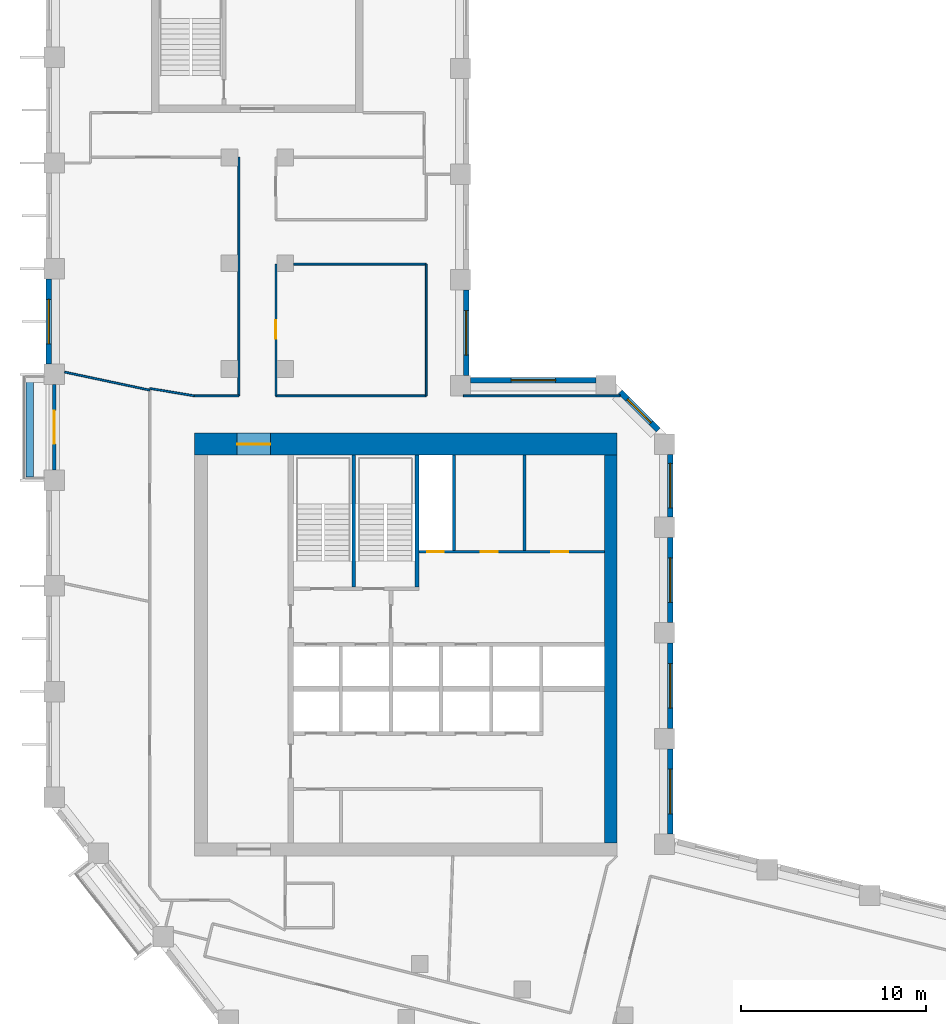
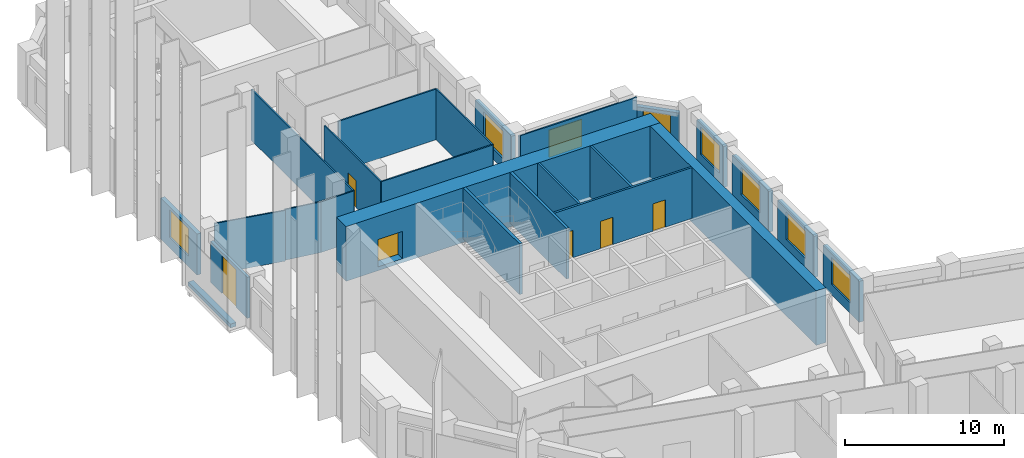
# One storey, part 6 of 10: 26 walls, 8 windows, 6 doors, 14 openings.
"""IFC4 building model written with IfcOpenShell, lengths in metres."""

from ifc_helpers import new_model, si_unit, direction, frame, frame_2d, origin, place, context, subcontext, project, spatial, rectangle, extrude, material, layer, layer_set, type_object, element, fill, save


model = new_model("IFC4")

# Units and contexts
model_context = context("Model", 3, precision=1e-05, world=origin(), true_north=direction((0.0, 1.0)))
body_context = subcontext(model_context, "Body", "Model", "MODEL_VIEW")
ifc_project = project(units=[si_unit("LENGTHUNIT", "METRE"), si_unit("AREAUNIT", "SQUARE_METRE"), si_unit("VOLUMEUNIT", "CUBIC_METRE"), si_unit("PLANEANGLEUNIT", "RADIAN"), si_unit("MASSUNIT", "GRAM", prefix="KILO")], contexts=[model_context])

# Site, building, storey
site_placement = place(None, origin())
site = spatial("IfcSite", under=ifc_project, at=site_placement, CompositionType="ELEMENT")
building_placement = place(site_placement, origin())
building = spatial("IfcBuilding", under=site, at=building_placement, Name="Meshkara Civic Tower", CompositionType="ELEMENT")
storey_placement = place(building_placement, frame((0.0, 0.0, 259.199951171875)))
storey = spatial("IfcBuildingStorey", under=building, at=storey_placement, Name="L59", CompositionType="ELEMENT", Elevation=259.199951171875)

# Wall, openings, doors
ifc_material_1 = material(Name="Blockwork", Category="masonry")
ifc_layer_1 = layer(ifc_material_1, 0.14990234375)
ifc_layer_set_1 = layer_set([ifc_layer_1], Name="Core partition 150")
wall_type_1 = type_object("IfcWallType", Name="Core partition 150", PredefinedType="PARTITIONING", material=ifc_layer_set_1)
wall_1_placement = place(storey_placement, frame((20.10009765625, 30.5, 0.0), z_axis=(0.0, 0.0, 1.0), x_axis=(1.0, 0.0, 0.0)))
wall_1 = element("IfcWall", 1, at=wall_1_placement, inside=storey, type_object=wall_type_1, Name="L59-C010", PredefinedType="PARTITIONING", context=body_context, shape_type="SweptSolid", body=[
    extrude(rectangle(XDim=10.0, YDim=0.14990234375, at=frame_2d((5.0, 0.0))), origin(), (0.0, 0.0, 1.0), 3.900146484375),
])
opening_1_placement = place(wall_1_placement, frame((0.449951171875, 0.0, 0.0)))
opening_1 = element("IfcOpeningElement", 2, at=opening_1_placement, cuts=wall_1, Name="Opening L59-K012", PredefinedType="OPENING", context=body_context, shape_type="SweptSolid", body=[
    extrude(rectangle(XDim=0.89990234375, YDim=2.10009765625, at=frame_2d((0.449951171875, 1.050048828125))), frame((0.0, 0.0849609375, 0.0), z_axis=(0.0, -1.0, 0.0), x_axis=(1.0, 0.0, 0.0)), (0.0, 0.0, 1.0), 0.169921875),
])
opening_2_placement = place(wall_1_placement, frame((3.35009765625, 0.0, 0.0)))
opening_2 = element("IfcOpeningElement", 3, at=opening_2_placement, cuts=wall_1, Name="Opening L59-K013", PredefinedType="OPENING", context=body_context, shape_type="SweptSolid", body=[
    extrude(rectangle(XDim=0.89990234375, YDim=2.10009765625, at=frame_2d((0.449951171875, 1.050048828125))), frame((0.0, 0.0849609375, 0.0), z_axis=(0.0, -1.0, 0.0), x_axis=(1.0, 0.0, 0.0)), (0.0, 0.0, 1.0), 0.169921875),
])
opening_3_placement = place(wall_1_placement, frame((7.14990234375, 0.0, 0.0)))
opening_3 = element("IfcOpeningElement", 4, at=opening_3_placement, cuts=wall_1, Name="Opening L59-K014", PredefinedType="OPENING", context=body_context, shape_type="SweptSolid", body=[
    extrude(rectangle(XDim=0.89990234375, YDim=2.10009765625, at=frame_2d((0.449951171875, 1.050048828125))), frame((0.0, 0.0849609375, 0.0), z_axis=(0.0, -1.0, 0.0), x_axis=(1.0, 0.0, 0.0)), (0.0, 0.0, 1.0), 0.169921875),
])
ifc_material_2 = material(Name="Timber door leaf in steel frame", Category="steel")
door_type_1 = type_object("IfcDoorType", Name="Core room door 900", OperationType="SINGLE_SWING_LEFT", PredefinedType="DOOR", material=ifc_material_2)
door_1_placement = place(opening_2_placement, origin())
door_1 = element("IfcDoor", 5, at=door_1_placement, inside=storey, type_object=door_type_1, Name="L59-K013", OperationType="SINGLE_SWING_RIGHT", OverallHeight=2.10009765625, OverallWidth=0.89990234375, PredefinedType="DOOR", context=body_context, shape_type="SweptSolid", body=[
    extrude(rectangle(XDim=0.89990234375, YDim=2.10009765625, at=frame_2d((0.449951171875, 1.050048828125))), frame((0.0, 0.02490234375, 0.0), z_axis=(0.0, -1.0, 0.0), x_axis=(1.0, 0.0, 0.0)), (0.0, 0.0, 1.0), 0.050048828125),
])
fill(opening_2, door_1)
ifc_material_3 = material(Name="Fire-rated door leaf in steel frame", Category="steel")
door_type_2 = type_object("IfcDoorType", Name="Riser door 900", OperationType="SINGLE_SWING_LEFT", PredefinedType="DOOR", material=ifc_material_3)
door_2_placement = place(opening_1_placement, origin())
door_2 = element("IfcDoor", 6, at=door_2_placement, inside=storey, type_object=door_type_2, Name="L59-K012", OperationType="SINGLE_SWING_RIGHT", OverallHeight=2.10009765625, OverallWidth=0.89990234375, PredefinedType="DOOR", context=body_context, shape_type="SweptSolid", body=[
    extrude(rectangle(XDim=0.89990234375, YDim=2.10009765625, at=frame_2d((0.449951171875, 1.050048828125))), frame((0.0, 0.02490234375, 0.0), z_axis=(0.0, -1.0, 0.0), x_axis=(1.0, 0.0, 0.0)), (0.0, 0.0, 1.0), 0.050048828125),
])
fill(opening_1, door_2)
ifc_material_4 = material(Name="Timber door leaf in steel frame", Category="steel")
door_type_3 = type_object("IfcDoorType", Name="WC door 900", OperationType="SINGLE_SWING_LEFT", PredefinedType="DOOR", material=ifc_material_4)
door_3_placement = place(opening_3_placement, origin())
door_3 = element("IfcDoor", 7, at=door_3_placement, inside=storey, type_object=door_type_3, Name="L59-K014", OperationType="SINGLE_SWING_LEFT", OverallHeight=2.10009765625, OverallWidth=0.89990234375, PredefinedType="DOOR", context=body_context, shape_type="SweptSolid", body=[
    extrude(rectangle(XDim=0.89990234375, YDim=2.10009765625, at=frame_2d((0.449951171875, 1.050048828125))), frame((0.0, 0.02490234375, 0.0), z_axis=(0.0, -1.0, 0.0), x_axis=(1.0, 0.0, 0.0)), (0.0, 0.0, 1.0), 0.050048828125),
])
fill(opening_3, door_3)

# Walls
for number, where, z_axis, x_axis, name in (
    (8, (22.0, 30.574951171875, 0.0), (0.0, 0.0, 1.0), (0.0, 1.0, 0.0), "L59-C018"),
    (9, (25.800048828125, 30.574951171875, 0.0), (0.0, 0.0, 1.0), (0.0, 1.0, 0.0), "L59-C020"),
):
    element("IfcWall", number, at=place(storey_placement, frame(where, z_axis=z_axis, x_axis=x_axis)), inside=storey, type_object=wall_type_1, Name=name, PredefinedType="PARTITIONING", context=body_context, shape_type="SweptSolid", body=[
        extrude(rectangle(XDim=5.125, YDim=0.14990234375, at=frame_2d((2.5625, 0.0))), origin(), (0.0, 0.0, 1.0), 3.900146484375),
    ])

# Wall, opening, door
ifc_material_5 = material(Name="Concrete C60", Category="concrete")
ifc_layer_2 = layer(ifc_material_5, 1.199951171875)
ifc_layer_set_2 = layer_set([ifc_layer_2], Name="Core ring wall 1200 C60")
wall_type_2 = type_object("IfcWallType", Name="Core ring wall 1200 C60", PredefinedType="SHEAR", material=ifc_layer_set_2)
wall_2_placement = place(storey_placement, frame((8.0, 36.300048828125, -0.300048828125), z_axis=(0.0, 0.0, 1.0), x_axis=(1.0, 0.0, 0.0)))
wall_2 = element("IfcWall", 10, at=wall_2_placement, inside=storey, type_object=wall_type_2, Name="L59-C002", PredefinedType="SHEAR", context=body_context, shape_type="SweptSolid", body=[
    extrude(rectangle(XDim=22.800048828125, YDim=1.199951171875, at=frame_2d((11.39990234375, 0.0))), origin(), (0.0, 0.0, 1.0), 4.2001953125),
])
opening_4_placement = place(wall_2_placement, frame((2.300048828125, 0.0, 0.300048828125)))
opening_4 = element("IfcOpeningElement", 11, at=opening_4_placement, cuts=wall_2, Name="Opening L59-K020", PredefinedType="OPENING", context=body_context, shape_type="SweptSolid", body=[
    extrude(rectangle(XDim=1.800048828125, YDim=2.10009765625, at=frame_2d((0.89990234375, 1.050048828125))), frame((0.0, 0.60986328125, 0.0), z_axis=(0.0, -1.0, 0.0), x_axis=(1.0, 0.0, 0.0)), (0.0, 0.0, 1.0), 1.219970703125),
])
ifc_material_6 = material(Name="Fire-rated door leaf in steel frame", Category="steel")
door_type_4 = type_object("IfcDoorType", Name="Core double door 1800 EI 60", OperationType="DOUBLE_DOOR_SINGLE_SWING", PredefinedType="DOOR", material=ifc_material_6)
door_4_placement = place(opening_4_placement, origin())
door_4 = element("IfcDoor", 12, at=door_4_placement, inside=storey, type_object=door_type_4, Name="L59-K020", OperationType="DOUBLE_DOOR_SINGLE_SWING", OverallHeight=2.10009765625, OverallWidth=1.800048828125, PredefinedType="DOOR", context=body_context, shape_type="SweptSolid", body=[
    extrude(rectangle(XDim=1.800048828125, YDim=2.10009765625, at=frame_2d((0.89990234375, 1.050048828125))), frame((0.0, 0.02490234375, 0.0), z_axis=(0.0, -1.0, 0.0), x_axis=(1.0, 0.0, 0.0)), (0.0, 0.0, 1.0), 0.050048828125),
])
fill(opening_4, door_4)

# Walls
ifc_material_7 = material(Name="Concrete C60", Category="concrete")
ifc_layer_3 = layer(ifc_material_7, 0.699951171875)
ifc_layer_set_3 = layer_set([ifc_layer_3], Name="Core ring wall 700 C60")
wall_type_3 = type_object("IfcWallType", Name="Core ring wall 700 C60", PredefinedType="SHEAR", material=ifc_layer_set_3)
wall_3_placement = place(storey_placement, frame((30.449951171875, 14.800048828125, -0.300048828125), z_axis=(0.0, 0.0, 1.0), x_axis=(0.0, 1.0, 0.0)))
element("IfcWall", 13, at=wall_3_placement, inside=storey, type_object=wall_type_3, Name="L59-C004", PredefinedType="SHEAR", context=body_context, shape_type="SweptSolid", body=[
    extrude(rectangle(XDim=20.89990234375, YDim=0.699951171875, at=frame_2d((10.449951171875, 0.0))), origin(), (0.0, 0.0, 1.0), 4.2001953125),
])
ifc_material_8 = material(Name="Corridor wall 100")
ifc_layer_4 = layer(ifc_material_8, 0.10009765625)
ifc_layer_set_4 = layer_set([ifc_layer_4], Name="Corridor wall 100")
wall_type_4 = type_object("IfcWallType", Name="Corridor wall 100", PredefinedType="PARTITIONING", material=ifc_layer_set_4)
wall_4_placement = place(storey_placement, frame((8.0, 38.89990234375, 0.0), z_axis=(0.0, 0.0, 1.0), x_axis=(-0.986383073668, 0.16446407505, 0.0)))
element("IfcWall", 14, at=wall_4_placement, inside=storey, type_object=wall_type_4, Name="L59-W007", PredefinedType="PARTITIONING", context=body_context, shape_type="SweptSolid", body=[
    extrude(rectangle(XDim=2.43310546875, YDim=0.10009765625, at=frame_2d((1.216552734375, 0.0))), origin(), (0.0, 0.0, 1.0), 3.900146484375),
])
wall_5_placement = place(storey_placement, frame((10.39990234375, 38.89990234375, 0.0), z_axis=(0.0, 0.0, 1.0), x_axis=(-1.0, 0.0, 0.0)))
element("IfcWall", 15, at=wall_5_placement, inside=storey, type_object=wall_type_4, Name="L59-W012", PredefinedType="PARTITIONING", context=body_context, shape_type="SweptSolid", body=[
    extrude(rectangle(XDim=2.39990234375, YDim=0.10009765625, at=frame_2d((1.199951171875, 0.0))), origin(), (0.0, 0.0, 1.0), 3.900146484375),
])
wall_6_placement = place(storey_placement, frame((10.39990234375, 51.77001953125, 0.0), z_axis=(0.0, 0.0, 1.0), x_axis=(0.0, -1.0, 0.0)))
element("IfcWall", 16, at=wall_6_placement, inside=storey, type_object=wall_type_4, Name="L59-W013", PredefinedType="PARTITIONING", context=body_context, shape_type="SweptSolid", body=[
    extrude(rectangle(XDim=12.8701171875, YDim=0.10009765625, at=frame_2d((6.43505859375, 0.0))), origin(), (0.0, 0.0, 1.0), 3.900146484375),
])

# Wall, opening, door
wall_7_placement = place(storey_placement, frame((12.39990234375, 38.89990234375, 0.0), z_axis=(0.0, 0.0, 1.0), x_axis=(0.0, 1.0, 0.0)))
wall_7 = element("IfcWall", 17, at=wall_7_placement, inside=storey, type_object=wall_type_4, Name="L59-W014", PredefinedType="PARTITIONING", context=body_context, shape_type="SweptSolid", body=[
    extrude(rectangle(XDim=7.10009765625, YDim=0.10009765625, at=frame_2d((3.550048828125, 0.0))), origin(), (0.0, 0.0, 1.0), 3.900146484375),
])
opening_5_placement = place(wall_7_placement, frame((3.080078125, 0.0, 0.0)))
opening_5 = element("IfcOpeningElement", 18, at=opening_5_placement, cuts=wall_7, Name="Opening L59-D015", PredefinedType="OPENING", context=body_context, shape_type="SweptSolid", body=[
    extrude(rectangle(XDim=1.0, YDim=2.10009765625, at=frame_2d((0.5, 1.050048828125))), frame((0.0, 0.06005859375, 0.0), z_axis=(0.0, -1.0, 0.0), x_axis=(1.0, 0.0, 0.0)), (0.0, 0.0, 1.0), 0.1201171875),
])
ifc_material_9 = material(Name="Door 1000 x 2100")
door_type_5 = type_object("IfcDoorType", Name="Door 1000 x 2100", OperationType="SINGLE_SWING_LEFT", PredefinedType="DOOR", material=ifc_material_9)
door_5_placement = place(opening_5_placement, origin())
door_5 = element("IfcDoor", 19, at=door_5_placement, inside=storey, type_object=door_type_5, Name="L59-D015", OperationType="SINGLE_SWING_LEFT", OverallHeight=2.10009765625, OverallWidth=1.0, PredefinedType="DOOR", context=body_context, shape_type="SweptSolid", body=[
    extrude(rectangle(XDim=1.0, YDim=2.10009765625, at=frame_2d((0.5, 1.050048828125))), frame((0.0, 0.02490234375, 0.0), z_axis=(0.0, -1.0, 0.0), x_axis=(1.0, 0.0, 0.0)), (0.0, 0.0, 1.0), 0.050048828125),
])
fill(opening_5, door_5)

# Walls
wall_8_placement = place(storey_placement, frame((13.35009765625, 46.0, 0.0), z_axis=(0.0, 0.0, 1.0), x_axis=(1.0, 0.0, 0.0)))
element("IfcWall", 20, at=wall_8_placement, inside=storey, type_object=wall_type_4, Name="L59-W017", PredefinedType="PARTITIONING", context=body_context, shape_type="SweptSolid", body=[
    extrude(rectangle(XDim=7.14990234375, YDim=0.10009765625, at=frame_2d((3.574951171875, 0.0))), origin(), (0.0, 0.0, 1.0), 3.900146484375),
])
wall_9_placement = place(storey_placement, frame((20.5, 38.89990234375, 0.0), z_axis=(0.0, 0.0, 1.0), x_axis=(-1.0, 0.0, 0.0)))
element("IfcWall", 21, at=wall_9_placement, inside=storey, type_object=wall_type_4, Name="L59-W021", PredefinedType="PARTITIONING", context=body_context, shape_type="SweptSolid", body=[
    extrude(rectangle(XDim=8.10009765625, YDim=0.10009765625, at=frame_2d((4.050048828125, 0.0))), origin(), (0.0, 0.0, 1.0), 3.900146484375),
])
wall_10_placement = place(storey_placement, frame((20.5, 46.0, 0.0), z_axis=(0.0, 0.0, 1.0), x_axis=(0.0, -1.0, 0.0)))
element("IfcWall", 22, at=wall_10_placement, inside=storey, type_object=wall_type_4, Name="L59-W022", PredefinedType="PARTITIONING", context=body_context, shape_type="SweptSolid", body=[
    extrude(rectangle(XDim=7.10009765625, YDim=0.10009765625, at=frame_2d((3.550048828125, 0.0))), origin(), (0.0, 0.0, 1.0), 3.900146484375),
])
wall_11_placement = place(storey_placement, frame((30.9560546875, 38.89990234375, 0.0), z_axis=(0.0, 0.0, 1.0), x_axis=(-1.0, 0.0, 0.0)))
element("IfcWall", 23, at=wall_11_placement, inside=storey, type_object=wall_type_4, Name="L59-W030", PredefinedType="PARTITIONING", context=body_context, shape_type="SweptSolid", body=[
    extrude(rectangle(XDim=8.4560546875, YDim=0.10009765625, at=frame_2d((4.22802734375, 0.0))), origin(), (0.0, 0.0, 1.0), 3.900146484375),
])

# Wall, opening, window
ifc_material_10 = material(Name="Insulated infill panel with bronze anodised aluminium cladding", Category="aluminium")
ifc_layer_5 = layer(ifc_material_10, 0.300048828125)
ifc_layer_set_5 = layer_set([ifc_layer_5], Name="EXTERNAL INFILL WALL 300")
wall_type_5 = type_object("IfcWallType", Name="EXTERNAL INFILL WALL 300", PredefinedType="SOLIDWALL", material=ifc_layer_set_5)
wall_12_placement = place(storey_placement, frame((33.64990234375, 15.26904296875, 0.0), z_axis=(0.0, 0.0, 1.0), x_axis=(0.0, 1.0, 0.0)))
wall_12 = element("IfcWall", 24, at=wall_12_placement, inside=storey, type_object=wall_type_5, Name="External wall", PredefinedType="SOLIDWALL", context=body_context, shape_type="SweptSolid", body=[
    extrude(rectangle(XDim=4.599853515625, YDim=0.300048828125, at=frame_2d((2.2998046875, 0.0))), origin(), (0.0, 0.0, 1.0), 3.150146484375),
])
opening_6_placement = place(wall_12_placement, frame((1.10009765625, 0.0, 0.800048828125)))
opening_6 = element("IfcOpeningElement", 25, at=opening_6_placement, cuts=wall_12, Name="Opening W7", PredefinedType="OPENING", context=body_context, shape_type="SweptSolid", body=[
    extrude(rectangle(XDim=2.39990234375, YDim=2.10009765625, at=frame_2d((1.199951171875, 1.050048828125))), frame((0.0, 0.159912109375, 0.0), z_axis=(0.0, -1.0, 0.0), x_axis=(1.0, 0.0, 0.0)), (0.0, 0.0, 1.0), 0.320068359375),
])
ifc_material_11 = material(Name="Tinted double glazing", Category="glass")
window_type_1 = type_object("IfcWindowType", Name="WINDOW 2400x2100", PartitioningType="DOUBLE_PANEL_VERTICAL", PredefinedType="WINDOW", material=ifc_material_11)
window_1_placement = place(opening_6_placement, origin())
window_1 = element("IfcWindow", 26, at=window_1_placement, inside=storey, type_object=window_type_1, Name="Window", OverallHeight=2.10009765625, OverallWidth=2.39990234375, PartitioningType="DOUBLE_PANEL_VERTICAL", PredefinedType="WINDOW", context=body_context, shape_type="SweptSolid", body=[
    extrude(rectangle(XDim=2.39990234375, YDim=2.10009765625, at=frame_2d((1.199951171875, 1.050048828125))), frame((0.0, 0.030029296875, 0.0), z_axis=(0.0, -1.0, 0.0), x_axis=(1.0, 0.0, 0.0)), (0.0, 0.0, 1.0), 0.06005859375),
])
fill(opening_6, window_1)

wall_13_placement = place(storey_placement, frame((33.64990234375, 20.968994140625, 0.0), z_axis=(0.0, 0.0, 1.0), x_axis=(0.0, 1.0, 0.0)))
wall_13 = element("IfcWall", 27, at=wall_13_placement, inside=storey, type_object=wall_type_5, Name="External wall", PredefinedType="SOLIDWALL", context=body_context, shape_type="SweptSolid", body=[
    extrude(rectangle(XDim=4.60009765625, YDim=0.300048828125, at=frame_2d((2.300048828125, 0.0))), origin(), (0.0, 0.0, 1.0), 3.150146484375),
])
opening_7_placement = place(wall_13_placement, frame((1.10009765625, 0.0, 0.800048828125)))
opening_7 = element("IfcOpeningElement", 28, at=opening_7_placement, cuts=wall_13, Name="Opening W7", PredefinedType="OPENING", context=body_context, shape_type="SweptSolid", body=[
    extrude(rectangle(XDim=2.39990234375, YDim=2.10009765625, at=frame_2d((1.199951171875, 1.050048828125))), frame((0.0, 0.159912109375, 0.0), z_axis=(0.0, -1.0, 0.0), x_axis=(1.0, 0.0, 0.0)), (0.0, 0.0, 1.0), 0.320068359375),
])
window_2_placement = place(opening_7_placement, origin())
window_2 = element("IfcWindow", 29, at=window_2_placement, inside=storey, type_object=window_type_1, Name="Window", OverallHeight=2.10009765625, OverallWidth=2.39990234375, PartitioningType="DOUBLE_PANEL_VERTICAL", PredefinedType="WINDOW", context=body_context, shape_type="SweptSolid", body=[
    extrude(rectangle(XDim=2.39990234375, YDim=2.10009765625, at=frame_2d((1.199951171875, 1.050048828125))), frame((0.0, 0.030029296875, 0.0), z_axis=(0.0, -1.0, 0.0), x_axis=(1.0, 0.0, 0.0)), (0.0, 0.0, 1.0), 0.06005859375),
])
fill(opening_7, window_2)

wall_14_placement = place(storey_placement, frame((33.64990234375, 26.6689453125, 0.0), z_axis=(0.0, 0.0, 1.0), x_axis=(0.0, 1.0, 0.0)))
wall_14 = element("IfcWall", 30, at=wall_14_placement, inside=storey, type_object=wall_type_5, Name="External wall", PredefinedType="SOLIDWALL", context=body_context, shape_type="SweptSolid", body=[
    extrude(rectangle(XDim=4.60009765625, YDim=0.300048828125, at=frame_2d((2.300048828125, 0.0))), origin(), (0.0, 0.0, 1.0), 3.150146484375),
])
opening_8_placement = place(wall_14_placement, frame((1.10009765625, 0.0, 0.800048828125)))
opening_8 = element("IfcOpeningElement", 31, at=opening_8_placement, cuts=wall_14, Name="Opening W7", PredefinedType="OPENING", context=body_context, shape_type="SweptSolid", body=[
    extrude(rectangle(XDim=2.39990234375, YDim=2.10009765625, at=frame_2d((1.199951171875, 1.050048828125))), frame((0.0, 0.159912109375, 0.0), z_axis=(0.0, -1.0, 0.0), x_axis=(1.0, 0.0, 0.0)), (0.0, 0.0, 1.0), 0.320068359375),
])
window_3_placement = place(opening_8_placement, origin())
window_3 = element("IfcWindow", 32, at=window_3_placement, inside=storey, type_object=window_type_1, Name="Window", OverallHeight=2.10009765625, OverallWidth=2.39990234375, PartitioningType="DOUBLE_PANEL_VERTICAL", PredefinedType="WINDOW", context=body_context, shape_type="SweptSolid", body=[
    extrude(rectangle(XDim=2.39990234375, YDim=2.10009765625, at=frame_2d((1.199951171875, 1.050048828125))), frame((0.0, 0.030029296875, 0.0), z_axis=(0.0, -1.0, 0.0), x_axis=(1.0, 0.0, 0.0)), (0.0, 0.0, 1.0), 0.06005859375),
])
fill(opening_8, window_3)

wall_15_placement = place(storey_placement, frame((33.64990234375, 32.368896484375, 0.0), z_axis=(0.0, 0.0, 1.0), x_axis=(0.0, 1.0, 0.0)))
wall_15 = element("IfcWall", 33, at=wall_15_placement, inside=storey, type_object=wall_type_5, Name="External wall", PredefinedType="SOLIDWALL", context=body_context, shape_type="SweptSolid", body=[
    extrude(rectangle(XDim=3.375, YDim=0.300048828125, at=frame_2d((1.6875, 0.0))), origin(), (0.0, 0.0, 1.0), 3.150146484375),
])
opening_9_placement = place(wall_15_placement, frame((0.488037109375, 0.0, 0.800048828125)))
opening_9 = element("IfcOpeningElement", 34, at=opening_9_placement, cuts=wall_15, Name="Opening W7", PredefinedType="OPENING", context=body_context, shape_type="SweptSolid", body=[
    extrude(rectangle(XDim=2.39990234375, YDim=2.10009765625, at=frame_2d((1.199951171875, 1.050048828125))), frame((0.0, 0.159912109375, 0.0), z_axis=(0.0, -1.0, 0.0), x_axis=(1.0, 0.0, 0.0)), (0.0, 0.0, 1.0), 0.320068359375),
])
window_4_placement = place(opening_9_placement, origin())
window_4 = element("IfcWindow", 35, at=window_4_placement, inside=storey, type_object=window_type_1, Name="Window", OverallHeight=2.10009765625, OverallWidth=2.39990234375, PartitioningType="DOUBLE_PANEL_VERTICAL", PredefinedType="WINDOW", context=body_context, shape_type="SweptSolid", body=[
    extrude(rectangle(XDim=2.39990234375, YDim=2.10009765625, at=frame_2d((1.199951171875, 1.050048828125))), frame((0.0, 0.030029296875, 0.0), z_axis=(0.0, -1.0, 0.0), x_axis=(1.0, 0.0, 0.0)), (0.0, 0.0, 1.0), 0.06005859375),
])
fill(opening_9, window_4)

wall_16_placement = place(storey_placement, frame((33.011962890625, 37.055908203125, 0.0), z_axis=(0.0, 0.0, 1.0), x_axis=(-0.707064797706, 0.707148762175, 0.0)))
wall_16 = element("IfcWall", 36, at=wall_16_placement, inside=storey, type_object=wall_type_5, Name="External wall", PredefinedType="SOLIDWALL", context=body_context, shape_type="SweptSolid", body=[
    extrude(rectangle(XDim=2.90771484375, YDim=0.300048828125, at=frame_2d((1.453857421875, 0.0))), origin(), (0.0, 0.0, 1.0), 3.150146484375),
])
opening_10_placement = place(wall_16_placement, frame((0.553955078125, 0.0, 0.800048828125)))
opening_10 = element("IfcOpeningElement", 37, at=opening_10_placement, cuts=wall_16, Name="Opening W9", PredefinedType="OPENING", context=body_context, shape_type="SweptSolid", body=[
    extrude(rectangle(XDim=1.800048828125, YDim=2.10009765625, at=frame_2d((0.89990234375, 1.050048828125))), frame((0.0, 0.159912109375, 0.0), z_axis=(0.0, -1.0, 0.0), x_axis=(1.0, 0.0, 0.0)), (0.0, 0.0, 1.0), 0.320068359375),
])
ifc_material_12 = material(Name="Tinted double glazing", Category="glass")
window_type_2 = type_object("IfcWindowType", Name="WINDOW 1800x2100", PartitioningType="DOUBLE_PANEL_VERTICAL", PredefinedType="WINDOW", material=ifc_material_12)
window_5_placement = place(opening_10_placement, origin())
window_5 = element("IfcWindow", 38, at=window_5_placement, inside=storey, type_object=window_type_2, Name="Window", OverallHeight=2.10009765625, OverallWidth=1.800048828125, PartitioningType="DOUBLE_PANEL_VERTICAL", PredefinedType="WINDOW", context=body_context, shape_type="SweptSolid", body=[
    extrude(rectangle(XDim=1.800048828125, YDim=2.10009765625, at=frame_2d((0.89990234375, 1.050048828125))), frame((0.0, 0.030029296875, 0.0), z_axis=(0.0, -1.0, 0.0), x_axis=(1.0, 0.0, 0.0)), (0.0, 0.0, 1.0), 0.06005859375),
])
fill(opening_10, window_5)

wall_17_placement = place(storey_placement, frame((29.64404296875, 39.75, 0.0), z_axis=(0.0, 0.0, 1.0), x_axis=(-1.0, 0.0, 0.0)))
wall_17 = element("IfcWall", 39, at=wall_17_placement, inside=storey, type_object=wall_type_5, Name="External wall", PredefinedType="SOLIDWALL", context=body_context, shape_type="SweptSolid", body=[
    extrude(rectangle(XDim=6.744140625, YDim=0.300048828125, at=frame_2d((3.3720703125, 0.0))), origin(), (0.0, 0.0, 1.0), 3.150146484375),
])
opening_11_placement = place(wall_17_placement, frame((2.172119140625, 0.0, 0.800048828125)))
opening_11 = element("IfcOpeningElement", 40, at=opening_11_placement, cuts=wall_17, Name="Opening W7", PredefinedType="OPENING", context=body_context, shape_type="SweptSolid", body=[
    extrude(rectangle(XDim=2.39990234375, YDim=2.10009765625, at=frame_2d((1.199951171875, 1.050048828125))), frame((0.0, 0.159912109375, 0.0), z_axis=(0.0, -1.0, 0.0), x_axis=(1.0, 0.0, 0.0)), (0.0, 0.0, 1.0), 0.320068359375),
])
window_6_placement = place(opening_11_placement, origin())
window_6 = element("IfcWindow", 41, at=window_6_placement, inside=storey, type_object=window_type_1, Name="Window", OverallHeight=2.10009765625, OverallWidth=2.39990234375, PartitioningType="DOUBLE_PANEL_VERTICAL", PredefinedType="WINDOW", context=body_context, shape_type="SweptSolid", body=[
    extrude(rectangle(XDim=2.39990234375, YDim=2.10009765625, at=frame_2d((1.199951171875, 1.050048828125))), frame((0.0, 0.030029296875, 0.0), z_axis=(0.0, -1.0, 0.0), x_axis=(1.0, 0.0, 0.0)), (0.0, 0.0, 1.0), 0.06005859375),
])
fill(opening_11, window_6)

wall_18_placement = place(storey_placement, frame((22.64990234375, 40.0, 0.0), z_axis=(0.0, 0.0, 1.0), x_axis=(0.0, 1.0, 0.0)))
wall_18 = element("IfcWall", 42, at=wall_18_placement, inside=storey, type_object=wall_type_5, Name="External wall", PredefinedType="SOLIDWALL", context=body_context, shape_type="SweptSolid", body=[
    extrude(rectangle(XDim=4.60009765625, YDim=0.300048828125, at=frame_2d((2.300048828125, 0.0))), origin(), (0.0, 0.0, 1.0), 3.150146484375),
])
opening_12_placement = place(wall_18_placement, frame((1.10009765625, 0.0, 0.800048828125)))
opening_12 = element("IfcOpeningElement", 43, at=opening_12_placement, cuts=wall_18, Name="Opening W7", PredefinedType="OPENING", context=body_context, shape_type="SweptSolid", body=[
    extrude(rectangle(XDim=2.39990234375, YDim=2.10009765625, at=frame_2d((1.199951171875, 1.050048828125))), frame((0.0, 0.159912109375, 0.0), z_axis=(0.0, -1.0, 0.0), x_axis=(1.0, 0.0, 0.0)), (0.0, 0.0, 1.0), 0.320068359375),
])
window_7_placement = place(opening_12_placement, origin())
window_7 = element("IfcWindow", 44, at=window_7_placement, inside=storey, type_object=window_type_1, Name="Window", OverallHeight=2.10009765625, OverallWidth=2.39990234375, PartitioningType="DOUBLE_PANEL_VERTICAL", PredefinedType="WINDOW", context=body_context, shape_type="SweptSolid", body=[
    extrude(rectangle(XDim=2.39990234375, YDim=2.10009765625, at=frame_2d((1.199951171875, 1.050048828125))), frame((0.0, 0.030029296875, 0.0), z_axis=(0.0, -1.0, 0.0), x_axis=(1.0, 0.0, 0.0)), (0.0, 0.0, 1.0), 0.06005859375),
])
fill(opening_12, window_7)

wall_19_placement = place(storey_placement, frame((0.14990234375, 45.205078125, 0.0), z_axis=(0.0, 0.0, 1.0), x_axis=(0.0, -1.0, 0.0)))
wall_19 = element("IfcWall", 45, at=wall_19_placement, inside=storey, type_object=wall_type_5, Name="External wall", PredefinedType="SOLIDWALL", context=body_context, shape_type="SweptSolid", body=[
    extrude(rectangle(XDim=4.60009765625, YDim=0.300048828125, at=frame_2d((2.300048828125, 0.0))), origin(), (0.0, 0.0, 1.0), 3.150146484375),
])
opening_13_placement = place(wall_19_placement, frame((1.10009765625, 0.0, 0.800048828125)))
opening_13 = element("IfcOpeningElement", 46, at=opening_13_placement, cuts=wall_19, Name="Opening W7", PredefinedType="OPENING", context=body_context, shape_type="SweptSolid", body=[
    extrude(rectangle(XDim=2.39990234375, YDim=2.10009765625, at=frame_2d((1.199951171875, 1.050048828125))), frame((0.0, 0.159912109375, 0.0), z_axis=(0.0, -1.0, 0.0), x_axis=(1.0, 0.0, 0.0)), (0.0, 0.0, 1.0), 0.320068359375),
])
window_8_placement = place(opening_13_placement, origin())
window_8 = element("IfcWindow", 47, at=window_8_placement, inside=storey, type_object=window_type_1, Name="Window", OverallHeight=2.10009765625, OverallWidth=2.39990234375, PartitioningType="DOUBLE_PANEL_VERTICAL", PredefinedType="WINDOW", context=body_context, shape_type="SweptSolid", body=[
    extrude(rectangle(XDim=2.39990234375, YDim=2.10009765625, at=frame_2d((1.199951171875, 1.050048828125))), frame((0.0, 0.030029296875, 0.0), z_axis=(0.0, -1.0, 0.0), x_axis=(1.0, 0.0, 0.0)), (0.0, 0.0, 1.0), 0.06005859375),
])
fill(opening_13, window_8)

# Wall, opening, door
ifc_material_13 = material(Name="Insulated infill panel with bronze anodised aluminium cladding", Category="aluminium")
ifc_layer_6 = layer(ifc_material_13, 0.199951171875)
ifc_layer_set_6 = layer_set([ifc_layer_6], Name="LOGGIA BACK WALL 200")
wall_type_6 = type_object("IfcWallType", Name="LOGGIA BACK WALL 200", PredefinedType="SOLIDWALL", material=ifc_layer_set_6)
wall_20_placement = place(storey_placement, frame((0.449951171875, 39.5048828125, 0.0), z_axis=(0.0, 0.0, 1.0), x_axis=(0.0, -1.0, 0.0)))
wall_20 = element("IfcWall", 48, at=wall_20_placement, inside=storey, type_object=wall_type_6, Name="Loggia wall", PredefinedType="SOLIDWALL", context=body_context, shape_type="SweptSolid", body=[
    extrude(rectangle(XDim=4.599853515625, YDim=0.199951171875, at=frame_2d((2.2998046875, 0.0))), origin(), (0.0, 0.0, 1.0), 3.150146484375),
])
opening_14_placement = place(wall_20_placement, frame((1.39990234375, 0.0, 0.0)))
opening_14 = element("IfcOpeningElement", 49, at=opening_14_placement, cuts=wall_20, Name="Opening L59-L001", PredefinedType="OPENING", context=body_context, shape_type="SweptSolid", body=[
    extrude(rectangle(XDim=1.800048828125, YDim=2.89990234375, at=frame_2d((0.89990234375, 1.449951171875))), frame((0.0, 0.10986328125, 0.0), z_axis=(0.0, -1.0, 0.0), x_axis=(1.0, 0.0, 0.0)), (0.0, 0.0, 1.0), 0.219970703125),
])
ifc_material_14 = material(Name="Tinted double glazing", Category="glass")
door_type_6 = type_object("IfcDoorType", Name="LOGGIA DOOR 1800x2900", OperationType="DOUBLE_DOOR_SINGLE_SWING", PredefinedType="DOOR", material=ifc_material_14)
door_6_placement = place(opening_14_placement, origin())
door_6 = element("IfcDoor", 50, at=door_6_placement, inside=storey, type_object=door_type_6, Name="L59-L001", OperationType="DOUBLE_DOOR_SINGLE_SWING", OverallHeight=2.89990234375, OverallWidth=1.800048828125, PredefinedType="DOOR", context=body_context, shape_type="SweptSolid", body=[
    extrude(rectangle(XDim=1.800048828125, YDim=2.89990234375, at=frame_2d((0.89990234375, 1.449951171875))), frame((0.0, 0.02490234375, 0.0), z_axis=(0.0, -1.0, 0.0), x_axis=(1.0, 0.0, 0.0)), (0.0, 0.0, 1.0), 0.050048828125),
])
fill(opening_14, door_6)

# Walls
ifc_material_15 = material(Name="Concrete C40", Category="concrete")
ifc_layer_7 = layer(ifc_material_15, 0.39990234375)
ifc_layer_set_7 = layer_set([ifc_layer_7], Name="PLANTER TRAY")
wall_type_7 = type_object("IfcWallType", Name="PLANTER TRAY", PredefinedType="SOLIDWALL", material=ifc_layer_set_7)
wall_21_placement = place(storey_placement, frame((-0.8798828125, 39.885009765625, 0.0), z_axis=(0.0, 0.0, 1.0), x_axis=(0.0, -1.0, 0.0)))
element("IfcWall", 51, at=wall_21_placement, inside=storey, type_object=wall_type_7, Name="Planter", PredefinedType="SOLIDWALL", context=body_context, shape_type="SweptSolid", body=[
    extrude(rectangle(XDim=5.360107421875, YDim=0.39990234375, at=frame_2d((2.68017578125, 0.0))), origin(), (0.0, 0.0, 1.0), 0.300048828125),
])
ifc_material_16 = material(Name="Partition 100")
ifc_layer_8 = layer(ifc_material_16, 0.10009765625)
ifc_layer_set_8 = layer_set([ifc_layer_8], Name="Partition 100")
wall_type_8 = type_object("IfcWallType", Name="Partition 100", PredefinedType="PARTITIONING", material=ifc_layer_set_8)
wall_22_placement = place(storey_placement, frame((5.60009765625, 39.205078125, 0.0), z_axis=(0.0, 0.0, 1.0), x_axis=(-0.97813694426, 0.207961819271, 0.0)))
element("IfcWall", 52, at=wall_22_placement, inside=storey, type_object=wall_type_8, Name="L59-W047", PredefinedType="PARTITIONING", context=body_context, shape_type="SweptSolid", body=[
    extrude(rectangle(XDim=4.702880859375, YDim=0.10009765625, at=frame_2d((2.3515625, 0.0))), origin(), (0.0, 0.0, 1.0), 3.900146484375),
])
ifc_material_17 = material(Name="Concrete C40/50", Category="concrete")
ifc_layer_9 = layer(ifc_material_17, 0.199951171875)
ifc_layer_set_9 = layer_set([ifc_layer_9], Name="Stair enclosure wall 200 C40/50")
wall_type_9 = type_object("IfcWallType", Name="Stair enclosure wall 200 C40/50", PredefinedType="SOLIDWALL", material=ifc_layer_set_9)
for number, where, z_axis, x_axis, name in (
    (53, (16.60009765625, 28.60009765625, 0.0), (0.0, 0.0, 1.0), (0.0, 1.0, 0.0), "L59-C014"),
    (54, (20.0, 28.60009765625, 0.0), (0.0, 0.0, 1.0), (0.0, 1.0, 0.0), "L59-C016"),
):
    element("IfcWall", number, at=place(storey_placement, frame(where, z_axis=z_axis, x_axis=x_axis)), inside=storey, type_object=wall_type_9, Name=name, PredefinedType="SOLIDWALL", context=body_context, shape_type="SweptSolid", body=[
        extrude(rectangle(XDim=7.099853515625, YDim=0.199951171875, at=frame_2d((3.5498046875, 0.0))), origin(), (0.0, 0.0, 1.0), 3.900146484375),
    ])

save(model, "model.ifc")
